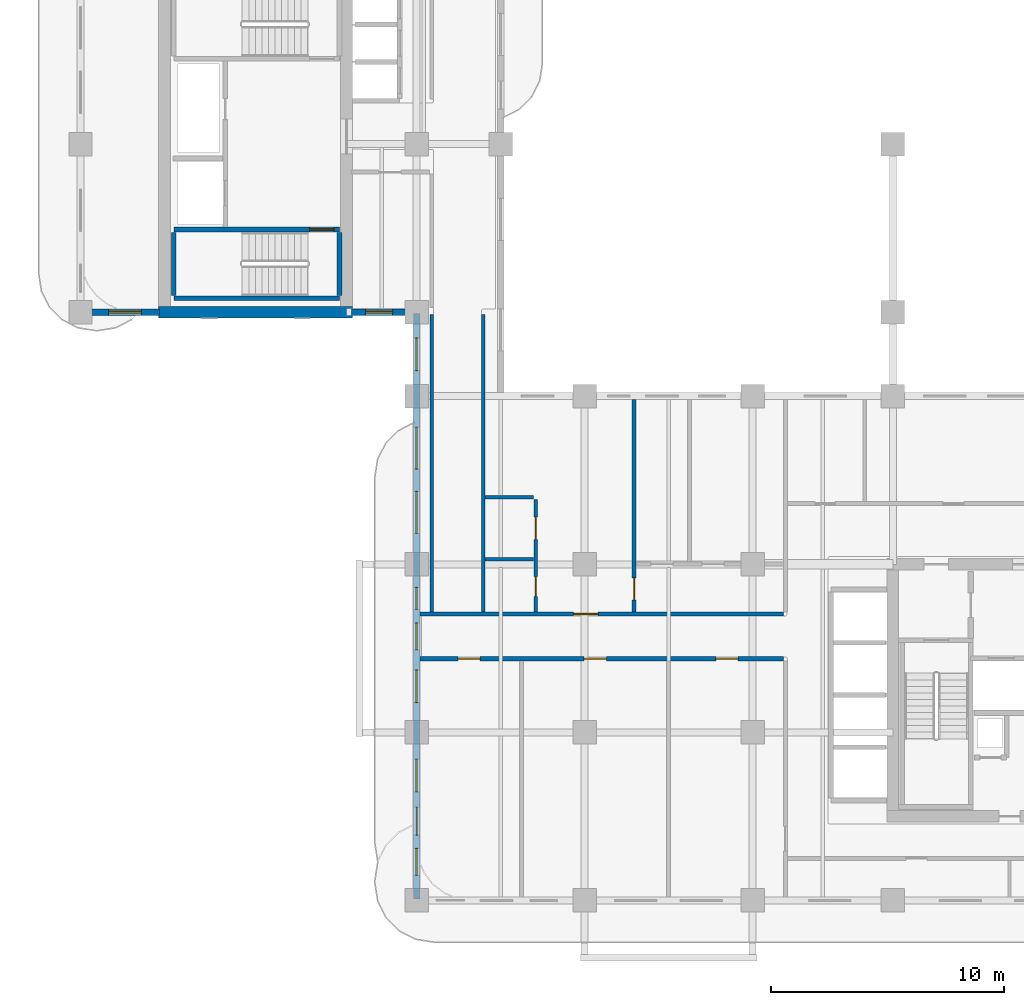
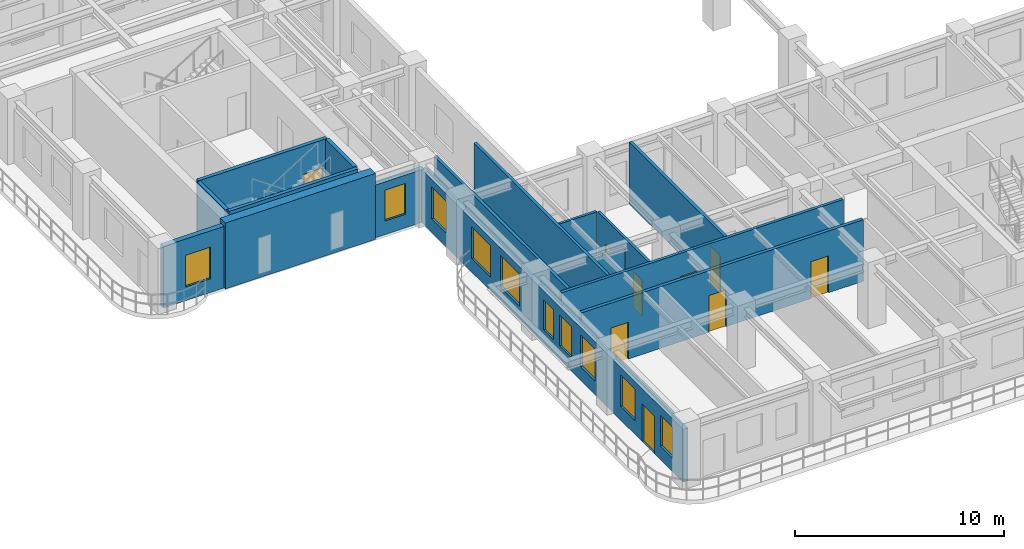
# One storey, part 4 of 13: 16 walls, 10 windows, 9 doors, 19 openings.
"""IFC4 building model written with IfcOpenShell, lengths in metres."""

from ifc_helpers import new_model, si_unit, derived_unit, direction, frame, frame_2d, origin, place, context, subcontext, project, spatial, rectangle, extrude, source, transform, mapped, material, layer, layer_set, type_object, type_shapes, element, fill, save


model = new_model("IFC4")

# Units and contexts
model_context = context("Model", 3, precision=1e-05, world=origin(), true_north=direction((0.0, 1.0)))
body_context = subcontext(model_context, "Body", "Model", "MODEL_VIEW")
ifc_project = project(units=[si_unit("LENGTHUNIT", "METRE"), si_unit("AREAUNIT", "SQUARE_METRE"), si_unit("VOLUMEUNIT", "CUBIC_METRE"), si_unit("PLANEANGLEUNIT", "RADIAN"), si_unit("MASSUNIT", "GRAM", prefix="KILO"), si_unit("THERMODYNAMICTEMPERATUREUNIT", "KELVIN"), si_unit("POWERUNIT", "WATT"), derived_unit("THERMALTRANSMITTANCEUNIT", [(si_unit("POWERUNIT", "WATT"), 1), (si_unit("AREAUNIT", "SQUARE_METRE"), -1), (si_unit("THERMODYNAMICTEMPERATUREUNIT", "KELVIN"), -1)])], contexts=[model_context])

# Site, building, storey
site_placement = place(None, origin())
site = spatial("IfcSite", under=ifc_project, at=site_placement, CompositionType="ELEMENT")
building_placement = place(site_placement, origin())
building = spatial("IfcBuilding", under=site, at=building_placement, Name="Zahravan Archway Hotel and Residences", CompositionType="ELEMENT")
storey_placement = place(building_placement, frame((0.0, 0.0, 181.10009765625)))
storey = spatial("IfcBuildingStorey", under=building, at=storey_placement, Name="L45", CompositionType="ELEMENT", Elevation=181.10009765625)

# Wall
ifc_material_1 = material(Name="Concrete C60/75", Category="concrete")
ifc_layer_1 = layer(ifc_material_1, 0.5, Name="Concrete C60/75", Category="concrete")
ifc_layer_set_1 = layer_set([ifc_layer_1], Name="Concrete C60/75")
wall_type_1 = type_object("IfcWallType", Name="CW-CORE-500", PredefinedType="SHEAR", material=ifc_layer_set_1)
wall_1_placement = place(storey_placement, frame((3.35009765625, 25.199951171875, 0.0), z_axis=(0.0, 0.0, 1.0), x_axis=(1.0, 0.0, 0.0)))
element("IfcWall", 1, at=wall_1_placement, inside=storey, type_object=wall_type_1, Name="L45 Core B Shear S Wall 500 mm", PredefinedType="SHEAR", context=body_context, shape_type="SweptSolid", body=[
    extrude(rectangle(XDim=8.2998046875, YDim=0.5, at=frame_2d((4.14990234375, 0.0))), origin(), (0.0, 0.0, 1.0), 3.849853515625),
])

# Wall, openings, door, windows
ifc_material_2 = material(Name="Honed Red-Ochre Sandstone & Insulated Block", Category="masonry")
ifc_layer_2 = layer(ifc_material_2, 0.280029296875, Name="Honed Red-Ochre Sandstone & Insulated Block", Category="masonry")
ifc_layer_set_2 = layer_set([ifc_layer_2], Name="Honed Red-Ochre Sandstone & Insulated Block")
wall_type_2 = type_object("IfcWallType", Name="EW-LOG-280", PredefinedType="SOLIDWALL", material=ifc_layer_set_2)
wall_2_placement = place(storey_placement, frame((14.39990234375, 0.050048828125, 0.0), z_axis=(0.0, 0.0, 1.0), x_axis=(0.0, 1.0, 0.0)))
wall_2 = element("IfcWall", 2, at=wall_2_placement, inside=storey, type_object=wall_type_2, Name="L45 Exterior Sandstone Wall WA-WL", PredefinedType="SOLIDWALL", context=body_context, shape_type="SweptSolid", body=[
    extrude(rectangle(XDim=25.099853515625, YDim=0.280029296875, at=frame_2d((12.5498046875, 0.0))), origin(), (0.0, 0.0, 1.0), 3.0849609375),
])
opening_1_placement = place(wall_2_placement, frame((2.75, 0.0, 0.0)))
opening_1 = element("IfcOpeningElement", 3, at=opening_1_placement, cuts=wall_2, Name="Opening ED-BL1", PredefinedType="OPENING", context=body_context, shape_type="SweptSolid", body=[
    extrude(rectangle(XDim=1.199951171875, YDim=2.199951171875, at=frame_2d((0.60009765625, 1.10009765625))), frame((0.0, 0.14990234375, 0.0), z_axis=(0.0, -1.0, 0.0), x_axis=(1.0, 0.0, 0.0)), (0.0, 0.0, 1.0), 0.300048828125),
])
opening_2_placement = place(wall_2_placement, frame((1.02490234375, 0.0, 0.800048828125)))
opening_2 = element("IfcOpeningElement", 4, at=opening_2_placement, cuts=wall_2, Name="Opening W-05", PredefinedType="OPENING", context=body_context, shape_type="SweptSolid", body=[
    extrude(rectangle(XDim=1.14990234375, YDim=1.800048828125, at=frame_2d((0.574951171875, 0.89990234375))), frame((0.0, 0.14990234375, 0.0), z_axis=(0.0, -1.0, 0.0), x_axis=(1.0, 0.0, 0.0)), (0.0, 0.0, 1.0), 0.300048828125),
])
opening_3_placement = place(wall_2_placement, frame((4.60009765625, 0.0, 0.800048828125)))
opening_3 = element("IfcOpeningElement", 5, at=opening_3_placement, cuts=wall_2, Name="Opening W-03", PredefinedType="OPENING", context=body_context, shape_type="SweptSolid", body=[
    extrude(rectangle(XDim=1.39990234375, YDim=1.85009765625, at=frame_2d((0.699951171875, 0.925048828125))), frame((0.0, 0.14990234375, 0.0), z_axis=(0.0, -1.0, 0.0), x_axis=(1.0, 0.0, 0.0)), (0.0, 0.0, 1.0), 0.300048828125),
])
opening_4_placement = place(wall_2_placement, frame((8.4208984375, 0.0, 0.800048828125)))
opening_4 = element("IfcOpeningElement", 6, at=opening_4_placement, cuts=wall_2, Name="Opening W-03", PredefinedType="OPENING", context=body_context, shape_type="SweptSolid", body=[
    extrude(rectangle(XDim=1.39990234375, YDim=1.85009765625, at=frame_2d((0.699951171875, 0.925048828125))), frame((0.0, 0.14990234375, 0.0), z_axis=(0.0, -1.0, 0.0), x_axis=(1.0, 0.0, 0.0)), (0.0, 0.0, 1.0), 0.300048828125),
])
opening_5_placement = place(wall_2_placement, frame((10.68505859375, 0.0, 0.800048828125)))
opening_5 = element("IfcOpeningElement", 7, at=opening_5_placement, cuts=wall_2, Name="Opening W-05", PredefinedType="OPENING", context=body_context, shape_type="SweptSolid", body=[
    extrude(rectangle(XDim=1.14990234375, YDim=1.800048828125, at=frame_2d((0.574951171875, 0.89990234375))), frame((0.0, 0.14990234375, 0.0), z_axis=(0.0, -1.0, 0.0), x_axis=(1.0, 0.0, 0.0)), (0.0, 0.0, 1.0), 0.300048828125),
])
opening_6_placement = place(wall_2_placement, frame((12.4140625, 0.0, 0.800048828125)))
opening_6 = element("IfcOpeningElement", 8, at=opening_6_placement, cuts=wall_2, Name="Opening W-04", PredefinedType="OPENING", context=body_context, shape_type="SweptSolid", body=[
    extrude(rectangle(XDim=0.949951171875, YDim=1.75, at=frame_2d((0.47509765625, 0.875))), frame((0.0, 0.14990234375, 0.0), z_axis=(0.0, -1.0, 0.0), x_axis=(1.0, 0.0, 0.0)), (0.0, 0.0, 1.0), 0.300048828125),
])
opening_7_placement = place(wall_2_placement, frame((15.675048828125, 0.0, 0.800048828125)))
opening_7 = element("IfcOpeningElement", 9, at=opening_7_placement, cuts=wall_2, Name="Opening W-02", PredefinedType="OPENING", context=body_context, shape_type="SweptSolid", body=[
    extrude(rectangle(XDim=1.800048828125, YDim=1.85009765625, at=frame_2d((0.89990234375, 0.925048828125))), frame((0.0, 0.14990234375, 0.0), z_axis=(0.0, -1.0, 0.0), x_axis=(1.0, 0.0, 0.0)), (0.0, 0.0, 1.0), 0.300048828125),
])
opening_8_placement = place(wall_2_placement, frame((18.425048828125, 0.0, 0.800048828125)))
opening_8 = element("IfcOpeningElement", 10, at=opening_8_placement, cuts=wall_2, Name="Opening W-02", PredefinedType="OPENING", context=body_context, shape_type="SweptSolid", body=[
    extrude(rectangle(XDim=1.800048828125, YDim=1.85009765625, at=frame_2d((0.89990234375, 0.925048828125))), frame((0.0, 0.14990234375, 0.0), z_axis=(0.0, -1.0, 0.0), x_axis=(1.0, 0.0, 0.0)), (0.0, 0.0, 1.0), 0.300048828125),
])
opening_9_placement = place(wall_2_placement, frame((22.64990234375, 0.0, 0.800048828125)))
opening_9 = element("IfcOpeningElement", 11, at=opening_9_placement, cuts=wall_2, Name="Opening W-03", PredefinedType="OPENING", context=body_context, shape_type="SweptSolid", body=[
    extrude(rectangle(XDim=1.39990234375, YDim=1.85009765625, at=frame_2d((0.699951171875, 0.925048828125))), frame((0.0, 0.14990234375, 0.0), z_axis=(0.0, -1.0, 0.0), x_axis=(1.0, 0.0, 0.0)), (0.0, 0.0, 1.0), 0.300048828125),
])
ifc_material_3 = material(Name="Bronze-Anodized Glazed Aluminium", Category="aluminium")
door_type_1 = type_object("IfcDoorType", Name="ED-BALC-1200", OperationType="SLIDING_TO_LEFT", PredefinedType="DOOR", material=ifc_material_3)
shared_shape_1 = source(origin(), body_context, "Body", "SweptSolid", [
    extrude(rectangle(XDim=1.199951171875, YDim=2.199951171875, at=frame_2d((0.60009765625, 1.10009765625))), frame((0.0, 0.02490234375, 0.0), z_axis=(0.0, -1.0, 0.0), x_axis=(1.0, 0.0, 0.0)), (0.0, 0.0, 1.0), 0.050048828125),
])
type_shapes(door_type_1, [shared_shape_1])
door_1_placement = place(opening_1_placement, origin())
door_1 = element("IfcDoor", 12, at=door_1_placement, inside=storey, type_object=door_type_1, Name="L45 Outdoor Access Sliding Door (SLB-BAL-L45-WA)", OperationType="SLIDING_TO_LEFT", OverallHeight=2.199951171875, OverallWidth=1.199951171875, PredefinedType="DOOR", context=body_context, shape_type="MappedRepresentation", body=[
    mapped(shared_shape_1, transform((0.0, 0.0, 0.0), scale=1.0)),
])
fill(opening_1, door_1)
ifc_material_4 = material(Name="Bronze-Anodized Thermal-Break Aluminium & Low-E Glass", Category="aluminium")
window_type_1 = type_object("IfcWindowType", Name="WIN-TWR-1400", PartitioningType="SINGLE_PANEL", PredefinedType="WINDOW", material=ifc_material_4)
shared_shape_2 = source(origin(), body_context, "Body", "SweptSolid", [
    extrude(rectangle(XDim=1.39990234375, YDim=1.85009765625, at=frame_2d((0.699951171875, 0.925048828125))), frame((0.0, 0.030029296875, 0.0), z_axis=(0.0, -1.0, 0.0), x_axis=(1.0, 0.0, 0.0)), (0.0, 0.0, 1.0), 0.06005859375),
])
type_shapes(window_type_1, [shared_shape_2])
window_1_placement = place(opening_3_placement, origin())
window_1 = element("IfcWindow", 13, at=window_1_placement, inside=storey, type_object=window_type_1, Name="L45 Loggia Window 21", OverallHeight=1.85009765625, OverallWidth=1.39990234375, PartitioningType="SINGLE_PANEL", PredefinedType="WINDOW", context=body_context, shape_type="MappedRepresentation", body=[
    mapped(shared_shape_2, transform((0.0, 0.0, 0.0), scale=1.0)),
])
fill(opening_3, window_1)
window_2_placement = place(opening_4_placement, origin())
window_2 = element("IfcWindow", 14, at=window_2_placement, inside=storey, type_object=window_type_1, Name="L45 Loggia Window 22", OverallHeight=1.85009765625, OverallWidth=1.39990234375, PartitioningType="SINGLE_PANEL", PredefinedType="WINDOW", context=body_context, shape_type="MappedRepresentation", body=[
    mapped(shared_shape_2, transform((0.0, 0.0, 0.0), scale=1.0)),
])
fill(opening_4, window_2)
window_3_placement = place(opening_9_placement, origin())
window_3 = element("IfcWindow", 15, at=window_3_placement, inside=storey, type_object=window_type_1, Name="L45 Loggia Window 27", OverallHeight=1.85009765625, OverallWidth=1.39990234375, PartitioningType="SINGLE_PANEL", PredefinedType="WINDOW", context=body_context, shape_type="MappedRepresentation", body=[
    mapped(shared_shape_2, transform((0.0, 0.0, 0.0), scale=1.0)),
])
fill(opening_9, window_3)
window_type_2 = type_object("IfcWindowType", Name="WIN-NAR-950", PartitioningType="SINGLE_PANEL", PredefinedType="WINDOW", material=ifc_material_4)
shared_shape_3 = source(origin(), body_context, "Body", "SweptSolid", [
    extrude(rectangle(XDim=0.949951171875, YDim=1.75, at=frame_2d((0.47509765625, 0.875))), frame((0.0, 0.030029296875, 0.0), z_axis=(0.0, -1.0, 0.0), x_axis=(1.0, 0.0, 0.0)), (0.0, 0.0, 1.0), 0.06005859375),
])
type_shapes(window_type_2, [shared_shape_3])
window_4_placement = place(opening_6_placement, origin())
window_4 = element("IfcWindow", 16, at=window_4_placement, inside=storey, type_object=window_type_2, Name="L45 Loggia Window 24", OverallHeight=1.75, OverallWidth=0.949951171875, PartitioningType="SINGLE_PANEL", PredefinedType="WINDOW", context=body_context, shape_type="MappedRepresentation", body=[
    mapped(shared_shape_3, transform((0.0, 0.0, 0.0), scale=1.0)),
])
fill(opening_6, window_4)
window_type_3 = type_object("IfcWindowType", Name="WIN-TWR-1800", PartitioningType="DOUBLE_PANEL_VERTICAL", PredefinedType="WINDOW", material=ifc_material_4)
shared_shape_4 = source(origin(), body_context, "Body", "SweptSolid", [
    extrude(rectangle(XDim=1.800048828125, YDim=1.85009765625, at=frame_2d((0.89990234375, 0.925048828125))), frame((0.0, 0.030029296875, 0.0), z_axis=(0.0, -1.0, 0.0), x_axis=(1.0, 0.0, 0.0)), (0.0, 0.0, 1.0), 0.06005859375),
])
type_shapes(window_type_3, [shared_shape_4])
window_5_placement = place(opening_7_placement, origin())
window_5 = element("IfcWindow", 17, at=window_5_placement, inside=storey, type_object=window_type_3, Name="L45 Loggia Window 25", OverallHeight=1.85009765625, OverallWidth=1.800048828125, PartitioningType="DOUBLE_PANEL_VERTICAL", PredefinedType="WINDOW", context=body_context, shape_type="MappedRepresentation", body=[
    mapped(shared_shape_4, transform((0.0, 0.0, 0.0), scale=1.0)),
])
fill(opening_7, window_5)
window_6_placement = place(opening_8_placement, origin())
window_6 = element("IfcWindow", 18, at=window_6_placement, inside=storey, type_object=window_type_3, Name="L45 Loggia Window 26", OverallHeight=1.85009765625, OverallWidth=1.800048828125, PartitioningType="DOUBLE_PANEL_VERTICAL", PredefinedType="WINDOW", context=body_context, shape_type="MappedRepresentation", body=[
    mapped(shared_shape_4, transform((0.0, 0.0, 0.0), scale=1.0)),
])
fill(opening_8, window_6)
window_type_4 = type_object("IfcWindowType", Name="WIN-TWR-1150", PartitioningType="SINGLE_PANEL", PredefinedType="WINDOW", material=ifc_material_4)
shared_shape_5 = source(origin(), body_context, "Body", "SweptSolid", [
    extrude(rectangle(XDim=1.14990234375, YDim=1.800048828125, at=frame_2d((0.574951171875, 0.89990234375))), frame((0.0, 0.030029296875, 0.0), z_axis=(0.0, -1.0, 0.0), x_axis=(1.0, 0.0, 0.0)), (0.0, 0.0, 1.0), 0.06005859375),
])
type_shapes(window_type_4, [shared_shape_5])
window_7_placement = place(opening_2_placement, origin())
window_7 = element("IfcWindow", 19, at=window_7_placement, inside=storey, type_object=window_type_4, Name="L45 Loggia Window 20", OverallHeight=1.800048828125, OverallWidth=1.14990234375, PartitioningType="SINGLE_PANEL", PredefinedType="WINDOW", context=body_context, shape_type="MappedRepresentation", body=[
    mapped(shared_shape_5, transform((0.0, 0.0, 0.0), scale=1.0)),
])
fill(opening_2, window_7)
window_8_placement = place(opening_5_placement, origin())
window_8 = element("IfcWindow", 20, at=window_8_placement, inside=storey, type_object=window_type_4, Name="L45 Loggia Window 23", OverallHeight=1.800048828125, OverallWidth=1.14990234375, PartitioningType="SINGLE_PANEL", PredefinedType="WINDOW", context=body_context, shape_type="MappedRepresentation", body=[
    mapped(shared_shape_5, transform((0.0, 0.0, 0.0), scale=1.0)),
])
fill(opening_5, window_8)

# Wall, opening, window
wall_3_placement = place(storey_placement, frame((11.6201171875, 25.199951171875, 0.0), z_axis=(0.0, 0.0, 1.0), x_axis=(1.0, 0.0, 0.0)))
wall_3 = element("IfcWall", 21, at=wall_3_placement, inside=storey, type_object=wall_type_2, Name="L45 Exterior Sandstone Wall WB-SE", PredefinedType="SOLIDWALL", context=body_context, shape_type="SweptSolid", body=[
    extrude(rectangle(XDim=2.77978515625, YDim=0.280029296875, at=frame_2d((1.389892578125, 0.0))), origin(), (0.0, 0.0, 1.0), 3.0849609375),
])
opening_10_placement = place(wall_3_placement, frame((0.60009765625, 0.0, 0.800048828125)))
opening_10 = element("IfcOpeningElement", 22, at=opening_10_placement, cuts=wall_3, Name="Opening W-05", PredefinedType="OPENING", context=body_context, shape_type="SweptSolid", body=[
    extrude(rectangle(XDim=1.14990234375, YDim=1.800048828125, at=frame_2d((0.574951171875, 0.89990234375))), frame((0.0, 0.14990234375, 0.0), z_axis=(0.0, -1.0, 0.0), x_axis=(1.0, 0.0, 0.0)), (0.0, 0.0, 1.0), 0.300048828125),
])
window_9_placement = place(opening_10_placement, origin())
window_9 = element("IfcWindow", 23, at=window_9_placement, inside=storey, type_object=window_type_4, Name="L45 Loggia Window 28", OverallHeight=1.800048828125, OverallWidth=1.14990234375, PartitioningType="SINGLE_PANEL", PredefinedType="WINDOW", context=body_context, shape_type="MappedRepresentation", body=[
    mapped(shared_shape_5, transform((0.0, 0.0, 0.0), scale=1.0)),
])
fill(opening_10, window_9)

wall_4_placement = place(storey_placement, frame((0.0, 25.199951171875, 0.0), z_axis=(0.0, 0.0, 1.0), x_axis=(1.0, 0.0, 0.0)))
wall_4 = element("IfcWall", 24, at=wall_4_placement, inside=storey, type_object=wall_type_2, Name="L45 Exterior Sandstone Wall WB-SW", PredefinedType="SOLIDWALL", context=body_context, shape_type="SweptSolid", body=[
    extrude(rectangle(XDim=3.3798828125, YDim=0.280029296875, at=frame_2d((1.68994140625, 0.0))), origin(), (0.0, 0.0, 1.0), 3.599853515625),
])
opening_11_placement = place(wall_4_placement, frame((1.205078125, 0.0, 0.800048828125)))
opening_11 = element("IfcOpeningElement", 25, at=opening_11_placement, cuts=wall_4, Name="Opening W-03", PredefinedType="OPENING", context=body_context, shape_type="SweptSolid", body=[
    extrude(rectangle(XDim=1.39990234375, YDim=1.85009765625, at=frame_2d((0.699951171875, 0.925048828125))), frame((0.0, 0.14990234375, 0.0), z_axis=(0.0, -1.0, 0.0), x_axis=(1.0, 0.0, 0.0)), (0.0, 0.0, 1.0), 0.300048828125),
])
window_10_placement = place(opening_11_placement, origin())
window_10 = element("IfcWindow", 26, at=window_10_placement, inside=storey, type_object=window_type_1, Name="L45 Loggia Window 29", OverallHeight=1.85009765625, OverallWidth=1.39990234375, PartitioningType="SINGLE_PANEL", PredefinedType="WINDOW", context=body_context, shape_type="MappedRepresentation", body=[
    mapped(shared_shape_2, transform((0.0, 0.0, 0.0), scale=1.0)),
])
fill(opening_11, window_10)

# Wall, opening, door
ifc_material_5 = material(Name="Fire-Rated Gypsum & Concrete Block", Category="concrete")
ifc_layer_3 = layer(ifc_material_5, 0.159912109375, Name="Fire-Rated Gypsum & Concrete Block", Category="concrete")
ifc_layer_set_3 = layer_set([ifc_layer_3], Name="Fire-Rated Gypsum & Concrete Block")
wall_type_3 = type_object("IfcWallType", Name="PW-CORR-160", PredefinedType="PARTITIONING", material=ifc_layer_set_3)
wall_5_placement = place(storey_placement, frame((14.548095703125, 12.27001953125, 0.0), z_axis=(0.0, 0.0, 1.0), x_axis=(1.0, 0.0, 0.0)))
wall_5 = element("IfcWall", 27, at=wall_5_placement, inside=storey, type_object=wall_type_3, Name="L45 Partition WA-CN", PredefinedType="PARTITIONING", context=body_context, shape_type="SweptSolid", body=[
    extrude(rectangle(XDim=15.56201171875, YDim=0.159912109375, at=frame_2d((7.781005859375, 0.0))), origin(), (0.0, 0.0, 1.0), 3.599853515625),
])
opening_12_placement = place(wall_5_placement, frame((6.576904296875, 0.0, 0.0)))
opening_12 = element("IfcOpeningElement", 28, at=opening_12_placement, cuts=wall_5, Name="Opening D-U1", PredefinedType="OPENING", context=body_context, shape_type="SweptSolid", body=[
    extrude(rectangle(XDim=1.050048828125, YDim=2.25, at=frame_2d((0.52490234375, 1.125))), frame((0.0, 0.08984375, 0.0), z_axis=(0.0, -1.0, 0.0), x_axis=(1.0, 0.0, 0.0)), (0.0, 0.0, 1.0), 0.179931640625),
])
ifc_material_6 = material(Name="Hardwood Veneer Timber", Category="wood")
door_type_2 = type_object("IfcDoorType", Name="ID-UNIT-1050", OperationType="NOTDEFINED", PredefinedType="DOOR", material=ifc_material_6)
shared_shape_6 = source(origin(), body_context, "Body", "SweptSolid", [
    extrude(rectangle(XDim=1.050048828125, YDim=2.25, at=frame_2d((0.52490234375, 1.125))), frame((0.0, 0.02490234375, 0.0), z_axis=(0.0, -1.0, 0.0), x_axis=(1.0, 0.0, 0.0)), (0.0, 0.0, 1.0), 0.050048828125),
])
type_shapes(door_type_2, [shared_shape_6])
door_2_placement = place(opening_12_placement, origin())
door_2 = element("IfcDoor", 29, at=door_2_placement, inside=storey, type_object=door_type_2, Name="L45 Flat HN1 Entrance Door", OperationType="SINGLE_SWING_LEFT", OverallHeight=2.25, OverallWidth=1.050048828125, PredefinedType="DOOR", context=body_context, shape_type="MappedRepresentation", body=[
    mapped(shared_shape_6, transform((0.0, 0.0, 0.0), scale=1.0)),
])
fill(opening_12, door_2)

# Walls
for number, where, z_axis, x_axis, name in (
    (30, (15.050048828125, 12.360107421875, 0.0), (0.0, 0.0, 1.0), (0.0, 1.0, 0.0), "L45 Partition LNK-W"),
    (31, (17.25, 12.360107421875, 0.0), (0.0, 0.0, 1.0), (0.0, 1.0, 0.0), "L45 Partition LNK-E"),
):
    element("IfcWall", number, at=place(storey_placement, frame(where, z_axis=z_axis, x_axis=x_axis)), inside=storey, type_object=wall_type_3, Name=name, PredefinedType="PARTITIONING", context=body_context, shape_type="SweptSolid", body=[
        extrude(rectangle(XDim=12.75, YDim=0.159912109375, at=frame_2d((6.375, 0.0))), origin(), (0.0, 0.0, 1.0), 3.599853515625),
    ])

# Wall, openings, doors
ifc_layer_4 = layer(ifc_material_5, 0.179931640625, Name="Fire-Rated Gypsum & Concrete Block", Category="concrete")
ifc_layer_set_4 = layer_set([ifc_layer_4], Name="Fire-Rated Gypsum & Concrete Block")
wall_type_4 = type_object("IfcWallType", Name="PW-CORR-180", PredefinedType="PARTITIONING", material=ifc_layer_set_4)
wall_6_placement = place(storey_placement, frame((14.548095703125, 10.35009765625, 0.0), z_axis=(0.0, 0.0, 1.0), x_axis=(1.0, 0.0, 0.0)))
wall_6 = element("IfcWall", 32, at=wall_6_placement, inside=storey, type_object=wall_type_4, Name="L45 Partition WA-CS", PredefinedType="PARTITIONING", context=body_context, shape_type="SweptSolid", body=[
    extrude(rectangle(XDim=15.56201171875, YDim=0.179931640625, at=frame_2d((7.781005859375, 0.0))), origin(), (0.0, 0.0, 1.0), 3.599853515625),
])
opening_13_placement = place(wall_6_placement, frame((1.626953125, 0.0, 0.0)))
opening_13 = element("IfcOpeningElement", 33, at=opening_13_placement, cuts=wall_6, Name="Opening D-I1", PredefinedType="OPENING", context=body_context, shape_type="SweptSolid", body=[
    extrude(rectangle(XDim=0.949951171875, YDim=2.14990234375, at=frame_2d((0.47509765625, 1.074951171875))), frame((0.0, 0.10009765625, 0.0), z_axis=(0.0, -1.0, 0.0), x_axis=(1.0, 0.0, 0.0)), (0.0, 0.0, 1.0), 0.199951171875),
])
opening_14_placement = place(wall_6_placement, frame((7.027099609375, 0.0, 0.0)))
opening_14 = element("IfcOpeningElement", 34, at=opening_14_placement, cuts=wall_6, Name="Opening D-I1", PredefinedType="OPENING", context=body_context, shape_type="SweptSolid", body=[
    extrude(rectangle(XDim=0.949951171875, YDim=2.14990234375, at=frame_2d((0.47509765625, 1.074951171875))), frame((0.0, 0.10009765625, 0.0), z_axis=(0.0, -1.0, 0.0), x_axis=(1.0, 0.0, 0.0)), (0.0, 0.0, 1.0), 0.199951171875),
])
opening_15_placement = place(wall_6_placement, frame((12.677001953125, 0.0, 0.0)))
opening_15 = element("IfcOpeningElement", 35, at=opening_15_placement, cuts=wall_6, Name="Opening D-I1", PredefinedType="OPENING", context=body_context, shape_type="SweptSolid", body=[
    extrude(rectangle(XDim=0.949951171875, YDim=2.14990234375, at=frame_2d((0.47509765625, 1.074951171875))), frame((0.0, 0.10009765625, 0.0), z_axis=(0.0, -1.0, 0.0), x_axis=(1.0, 0.0, 0.0)), (0.0, 0.0, 1.0), 0.199951171875),
])
door_type_3 = type_object("IfcDoorType", Name="ID-INT-950", OperationType="NOTDEFINED", PredefinedType="DOOR", material=ifc_material_6)
shared_shape_7 = source(origin(), body_context, "Body", "SweptSolid", [
    extrude(rectangle(XDim=0.949951171875, YDim=2.14990234375, at=frame_2d((0.47509765625, 1.074951171875))), frame((0.0, 0.02490234375, 0.0), z_axis=(0.0, -1.0, 0.0), x_axis=(1.0, 0.0, 0.0)), (0.0, 0.0, 1.0), 0.050048828125),
])
type_shapes(door_type_3, [shared_shape_7])
door_3_placement = place(opening_13_placement, origin())
door_3 = element("IfcDoor", 36, at=door_3_placement, inside=storey, type_object=door_type_3, Name="L45 Seminar Room 1 Door", OperationType="SINGLE_SWING_RIGHT", OverallHeight=2.14990234375, OverallWidth=0.949951171875, PredefinedType="DOOR", context=body_context, shape_type="MappedRepresentation", body=[
    mapped(shared_shape_7, transform((0.0, 0.0, 0.0), scale=1.0)),
])
fill(opening_13, door_3)
door_4_placement = place(opening_14_placement, origin())
door_4 = element("IfcDoor", 37, at=door_4_placement, inside=storey, type_object=door_type_3, Name="L45 Seminar Room 2 Door", OperationType="SINGLE_SWING_LEFT", OverallHeight=2.14990234375, OverallWidth=0.949951171875, PredefinedType="DOOR", context=body_context, shape_type="MappedRepresentation", body=[
    mapped(shared_shape_7, transform((0.0, 0.0, 0.0), scale=1.0)),
])
fill(opening_14, door_4)
door_5_placement = place(opening_15_placement, origin())
door_5 = element("IfcDoor", 38, at=door_5_placement, inside=storey, type_object=door_type_3, Name="L45 Boardroom 3 Door", OperationType="SINGLE_SWING_RIGHT", OverallHeight=2.14990234375, OverallWidth=0.949951171875, PredefinedType="DOOR", context=body_context, shape_type="MappedRepresentation", body=[
    mapped(shared_shape_7, transform((0.0, 0.0, 0.0), scale=1.0)),
])
fill(opening_15, door_5)

# Wall, opening, door
ifc_material_7 = material(Name="Acoustic Stud Partition")
ifc_layer_5 = layer(ifc_material_7, 0.169921875, Name="Acoustic Stud Partition")
ifc_layer_set_5 = layer_set([ifc_layer_5], Name="Acoustic Stud Partition")
wall_type_5 = type_object("IfcWallType", Name="PW-UNIT-170", PredefinedType="PARTITIONING", material=ifc_layer_set_5)
wall_7_placement = place(storey_placement, frame((23.719970703125, 12.360107421875, 0.0), z_axis=(0.0, 0.0, 1.0), x_axis=(0.0, 1.0, 0.0)))
wall_7 = element("IfcWall", 39, at=wall_7_placement, inside=storey, type_object=wall_type_5, Name="L45 Partition FL-HN1-SP", PredefinedType="PARTITIONING", context=body_context, shape_type="SweptSolid", body=[
    extrude(rectangle(XDim=9.099853515625, YDim=0.169921875, at=frame_2d((4.5498046875, 0.0))), origin(), (0.0, 0.0, 1.0), 3.599853515625),
])
opening_16_placement = place(wall_7_placement, frame((0.510009765625, 0.0, 0.0)))
opening_16 = element("IfcOpeningElement", 40, at=opening_16_placement, cuts=wall_7, Name="Opening D-I1", PredefinedType="OPENING", context=body_context, shape_type="SweptSolid", body=[
    extrude(rectangle(XDim=0.949951171875, YDim=2.14990234375, at=frame_2d((0.47509765625, 1.074951171875))), frame((0.0, 0.094970703125, 0.0), z_axis=(0.0, -1.0, 0.0), x_axis=(1.0, 0.0, 0.0)), (0.0, 0.0, 1.0), 0.18994140625),
])
door_6_placement = place(opening_16_placement, origin())
door_6 = element("IfcDoor", 41, at=door_6_placement, inside=storey, type_object=door_type_3, Name="L45 Flat HN1 Bedroom Hall Door", OperationType="SINGLE_SWING_LEFT", OverallHeight=2.14990234375, OverallWidth=0.949951171875, PredefinedType="DOOR", context=body_context, shape_type="MappedRepresentation", body=[
    mapped(shared_shape_7, transform((0.0, 0.0, 0.0), scale=1.0)),
])
fill(opening_16, door_6)

# Wall, openings, doors
ifc_material_8 = material(Name="Moisture-Resistant Blockwork", Category="masonry")
ifc_layer_6 = layer(ifc_material_8, 0.139892578125, Name="Moisture-Resistant Blockwork", Category="masonry")
ifc_layer_set_6 = layer_set([ifc_layer_6], Name="Moisture-Resistant Blockwork")
wall_type_6 = type_object("IfcWallType", Name="PW-WET-140", PredefinedType="PARTITIONING", material=ifc_layer_set_6)
wall_8_placement = place(storey_placement, frame((19.5, 12.360107421875, 0.0), z_axis=(0.0, 0.0, 1.0), x_axis=(0.0, 1.0, 0.0)))
wall_8 = element("IfcWall", 42, at=wall_8_placement, inside=storey, type_object=wall_type_6, Name="L45 Partition FL-HN1-BV", PredefinedType="PARTITIONING", context=body_context, shape_type="SweptSolid", body=[
    extrude(rectangle(XDim=4.81982421875, YDim=0.139892578125, at=frame_2d((2.409912109375, 0.0))), origin(), (0.0, 0.0, 1.0), 3.599853515625),
])
opening_17_placement = place(wall_8_placement, frame((0.659912109375, 0.0, 0.0)))
opening_17 = element("IfcOpeningElement", 43, at=opening_17_placement, cuts=wall_8, Name="Opening D-B1", PredefinedType="OPENING", context=body_context, shape_type="SweptSolid", body=[
    extrude(rectangle(XDim=0.85009765625, YDim=2.10009765625, at=frame_2d((0.425048828125, 1.050048828125))), frame((0.0, 0.080078125, 0.0), z_axis=(0.0, -1.0, 0.0), x_axis=(1.0, 0.0, 0.0)), (0.0, 0.0, 1.0), 0.159912109375),
])
opening_18_placement = place(wall_8_placement, frame((3.110107421875, 0.0, 0.0)))
opening_18 = element("IfcOpeningElement", 44, at=opening_18_placement, cuts=wall_8, Name="Opening D-I1", PredefinedType="OPENING", context=body_context, shape_type="SweptSolid", body=[
    extrude(rectangle(XDim=0.949951171875, YDim=2.14990234375, at=frame_2d((0.47509765625, 1.074951171875))), frame((0.0, 0.080078125, 0.0), z_axis=(0.0, -1.0, 0.0), x_axis=(1.0, 0.0, 0.0)), (0.0, 0.0, 1.0), 0.159912109375),
])
door_type_4 = type_object("IfcDoorType", Name="ID-BATH-850", OperationType="NOTDEFINED", PredefinedType="DOOR", material=ifc_material_6)
shared_shape_8 = source(origin(), body_context, "Body", "SweptSolid", [
    extrude(rectangle(XDim=0.85009765625, YDim=2.10009765625, at=frame_2d((0.425048828125, 1.050048828125))), frame((0.0, 0.02490234375, 0.0), z_axis=(0.0, -1.0, 0.0), x_axis=(1.0, 0.0, 0.0)), (0.0, 0.0, 1.0), 0.050048828125),
])
type_shapes(door_type_4, [shared_shape_8])
door_7_placement = place(opening_17_placement, origin())
door_7 = element("IfcDoor", 45, at=door_7_placement, inside=storey, type_object=door_type_4, Name="L45 Flat HN1 Bathroom Door", OperationType="SINGLE_SWING_LEFT", OverallHeight=2.10009765625, OverallWidth=0.85009765625, PredefinedType="DOOR", context=body_context, shape_type="MappedRepresentation", body=[
    mapped(shared_shape_8, transform((0.0, 0.0, 0.0), scale=1.0)),
])
fill(opening_17, door_7)
door_8_placement = place(opening_18_placement, origin())
door_8 = element("IfcDoor", 46, at=door_8_placement, inside=storey, type_object=door_type_3, Name="L45 Flat HN1 Kitchen Door", OperationType="SINGLE_SWING_RIGHT", OverallHeight=2.14990234375, OverallWidth=0.949951171875, PredefinedType="DOOR", context=body_context, shape_type="MappedRepresentation", body=[
    mapped(shared_shape_7, transform((0.0, 0.0, 0.0), scale=1.0)),
])
fill(opening_18, door_8)

# Walls
wall_9_placement = place(storey_placement, frame((17.340087890625, 14.6201171875, 0.0), z_axis=(0.0, 0.0, 1.0), x_axis=(1.0, 0.0, 0.0)))
element("IfcWall", 47, at=wall_9_placement, inside=storey, type_object=wall_type_6, Name="L45 Partition FL-HN1-BM", PredefinedType="PARTITIONING", context=body_context, shape_type="SweptSolid", body=[
    extrude(rectangle(XDim=2.06982421875, YDim=0.139892578125, at=frame_2d((1.034912109375, 0.0))), origin(), (0.0, 0.0, 1.0), 3.0849609375),
])
wall_10_placement = place(storey_placement, frame((17.340087890625, 17.27001953125, 0.0), z_axis=(0.0, 0.0, 1.0), x_axis=(1.0, 0.0, 0.0)))
element("IfcWall", 48, at=wall_10_placement, inside=storey, type_object=wall_type_6, Name="L45 Partition FL-HN1-KH", PredefinedType="PARTITIONING", context=body_context, shape_type="SweptSolid", body=[
    extrude(rectangle(XDim=2.06982421875, YDim=0.139892578125, at=frame_2d((1.034912109375, 0.0))), origin(), (0.0, 0.0, 1.0), 3.599853515625),
])
ifc_material_9 = material(Name="Concrete C50/60", Category="concrete")
ifc_layer_7 = layer(ifc_material_9, 0.199951171875, Name="Concrete C50/60", Category="concrete")
ifc_layer_set_7 = layer_set([ifc_layer_7], Name="Concrete C50/60")
wall_type_7 = type_object("IfcWallType", Name="SW-STAIR-200", PredefinedType="SHEAR", material=ifc_layer_set_7)
wall_11_placement = place(storey_placement, frame((4.0, 25.800048828125, 0.0), z_axis=(0.0, 0.0, 1.0), x_axis=(1.0, 0.0, 0.0)))
element("IfcWall", 49, at=wall_11_placement, inside=storey, type_object=wall_type_7, Name="L45 Stairwell RC Wall CB-SB1S", PredefinedType="SHEAR", context=body_context, shape_type="SweptSolid", body=[
    extrude(rectangle(XDim=7.10009765625, YDim=0.199951171875, at=frame_2d((3.550048828125, 0.0))), origin(), (0.0, 0.0, 1.0), 3.849853515625),
])
for number, where, z_axis, x_axis, name in (
    (50, (4.0, 25.919921875, 0.0), (0.0, 0.0, 1.0), (0.0, 1.0, 0.0), "L45 Stairwell RC Wall CB-SB1W"),
    (51, (11.10009765625, 25.919921875, 0.0), (0.0, 0.0, 1.0), (0.0, 1.0, 0.0), "L45 Stairwell RC Wall CB-SB1E"),
):
    element("IfcWall", number, at=place(storey_placement, frame(where, z_axis=z_axis, x_axis=x_axis)), inside=storey, type_object=wall_type_7, Name=name, PredefinedType="SHEAR", context=body_context, shape_type="SweptSolid", body=[
        extrude(rectangle(XDim=2.7001953125, YDim=0.199951171875, at=frame_2d((1.35009765625, 0.0))), origin(), (0.0, 0.0, 1.0), 3.849853515625),
    ])

# Wall, opening, door
wall_12_placement = place(storey_placement, frame((4.0, 28.739990234375, 0.0), z_axis=(0.0, 0.0, 1.0), x_axis=(1.0, 0.0, 0.0)))
wall_12 = element("IfcWall", 52, at=wall_12_placement, inside=storey, type_object=wall_type_7, Name="L45 Stairwell RC Wall CB-SB1N", PredefinedType="SHEAR", context=body_context, shape_type="SweptSolid", body=[
    extrude(rectangle(XDim=7.10009765625, YDim=0.199951171875, at=frame_2d((3.550048828125, 0.0))), origin(), (0.0, 0.0, 1.0), 3.849853515625),
])
opening_19_placement = place(wall_12_placement, frame((5.81494140625, 0.0, 0.0)))
opening_19 = element("IfcOpeningElement", 53, at=opening_19_placement, cuts=wall_12, Name="Opening FD-S1", PredefinedType="OPENING", context=body_context, shape_type="SweptSolid", body=[
    extrude(rectangle(XDim=1.050048828125, YDim=2.199951171875, at=frame_2d((0.52490234375, 1.10009765625))), frame((0.0, 0.10986328125, 0.0), z_axis=(0.0, -1.0, 0.0), x_axis=(1.0, 0.0, 0.0)), (0.0, 0.0, 1.0), 0.219970703125),
])
ifc_material_10 = material(Name="Fire-Rated Painted Steel", Category="steel")
door_type_5 = type_object("IfcDoorType", Name="FD-STAIR-1100", OperationType="NOTDEFINED", PredefinedType="DOOR", material=ifc_material_10)
shared_shape_9 = source(origin(), body_context, "Body", "SweptSolid", [
    extrude(rectangle(XDim=1.050048828125, YDim=2.199951171875, at=frame_2d((0.52490234375, 1.10009765625))), frame((0.0, 0.02490234375, 0.0), z_axis=(0.0, -1.0, 0.0), x_axis=(1.0, 0.0, 0.0)), (0.0, 0.0, 1.0), 0.050048828125),
])
type_shapes(door_type_5, [shared_shape_9])
door_9_placement = place(opening_19_placement, origin())
door_9 = element("IfcDoor", 54, at=door_9_placement, inside=storey, type_object=door_type_5, Name="L45 Stair ST-B1 Door", OperationType="SINGLE_SWING_RIGHT", OverallHeight=2.199951171875, OverallWidth=1.050048828125, PredefinedType="DOOR", context=body_context, shape_type="MappedRepresentation", body=[
    mapped(shared_shape_9, transform((0.0, 0.0, 0.0), scale=1.0)),
])
fill(opening_19, door_9)

save(model, "model.ifc")
